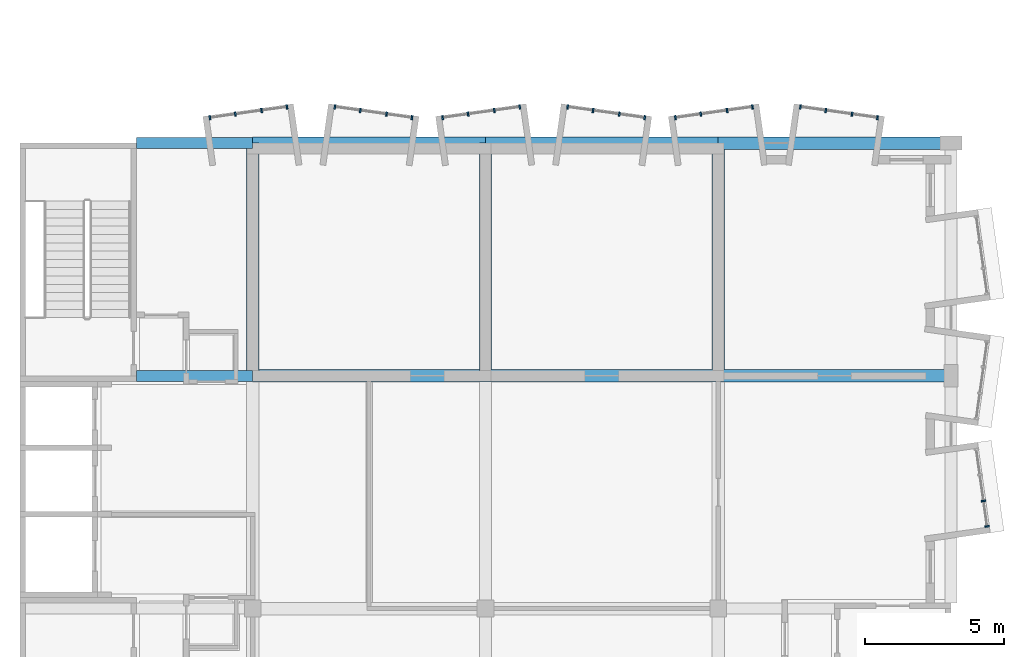
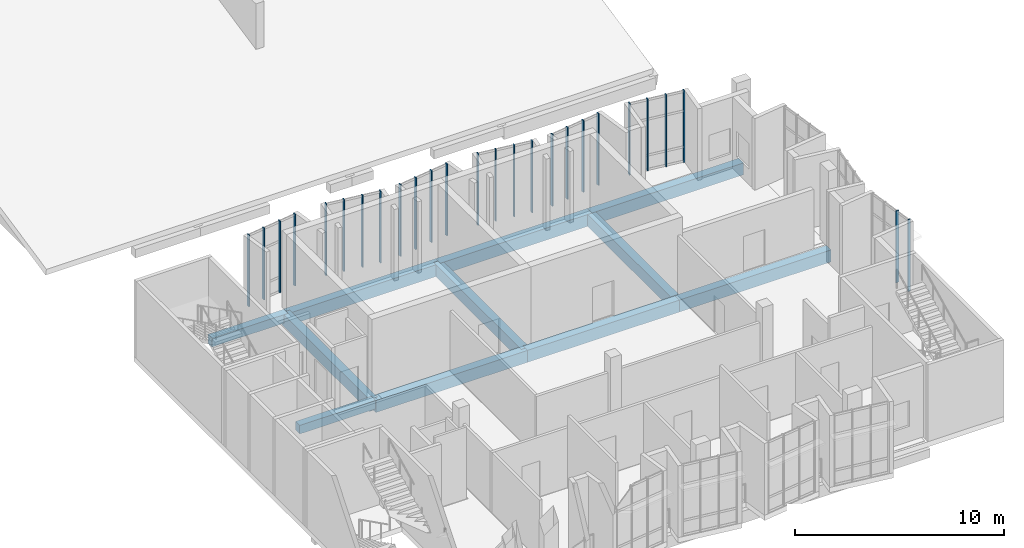
# One storey, part 3 of 19: 26 members, 11 beams, 7 elements without a shape of their own.
"""IFC4 building model written with IfcOpenShell, lengths in metres."""

from ifc_helpers import new_model, si_unit, direction, frame, origin, origin_2d, place, context, subcontext, project, spatial, rectangle, extrude, material, layer, layer_set, material_profile, profile_set, type_object, element, aggregate, save


model = new_model("IFC4")

# Units and contexts
model_context = context("Model", 3, precision=1e-05, world=origin(), true_north=direction((0.0, 1.0)))
body_context = subcontext(model_context, "Body", "Model", "MODEL_VIEW")
ifc_project = project(units=[si_unit("LENGTHUNIT", "METRE"), si_unit("AREAUNIT", "SQUARE_METRE"), si_unit("VOLUMEUNIT", "CUBIC_METRE"), si_unit("PLANEANGLEUNIT", "RADIAN"), si_unit("MASSUNIT", "GRAM", prefix="KILO")], contexts=[model_context])

# Site, building, storey
site_placement = place(None, origin())
site = spatial("IfcSite", under=ifc_project, at=site_placement, CompositionType="ELEMENT")
building_placement = place(site_placement, origin())
building = spatial("IfcBuilding", under=site, at=building_placement, Name="Kiln Court Media Centre", CompositionType="ELEMENT")
storey_placement = place(building_placement, frame((0.0, 0.0, 29.10009765625)))
storey = spatial("IfcBuildingStorey", under=building, at=storey_placement, Name="L06", CompositionType="ELEMENT", Elevation=29.10009765625)

# Curtain wall, members
ifc_material_1 = material(Name="Aluminium 6063-T6", Category="aluminium")
ifc_layer = layer(ifc_material_1, 0.1201171875)
ifc_layer_set = layer_set([ifc_layer], Name="Aluminium unitised bay curtain wall")
curtain_wall_type = type_object("IfcCurtainWallType", Name="Aluminium unitised bay curtain wall", PredefinedType="USERDEFINED", material=ifc_layer_set)
curtain_wall_1_placement = place(storey_placement, origin())
curtain_wall_1 = element("IfcCurtainWall", 1, at=curtain_wall_1_placement, inside=storey, type_object=curtain_wall_type, Name="BAY V6A-E-L06-09 front", ObjectType="UNITISED CURTAIN WALL", PredefinedType="USERDEFINED")
ifc_material_2 = material(Name="Aluminium 6063-T6", Category="aluminium")
ifc_material_profile_1 = material_profile(ifc_material_2, rectangle(XDim=0.06005859375, YDim=0.159912109375, at=origin_2d()), Name="Aluminium mullion 60x160")
ifc_profile_set_1 = profile_set([ifc_material_profile_1], Name="Aluminium 6063-T6")
member_type = type_object("IfcMemberType", Name="Aluminium mullion 60x160", PredefinedType="MULLION", material=ifc_profile_set_1)
member_1_placement = place(storey_placement, frame((34.904541015625, 11.364501953125, 0.0), z_axis=(0.0, 0.0, 1.0), x_axis=(-0.139162472554, 0.990269562409, 0.0)))
member_1 = element("IfcMember", 2, at=member_1_placement, type_object=member_type, Name="CW6-01 mullion 1", PredefinedType="MULLION", context=body_context, shape_type="SweptSolid", body=[
    extrude(rectangle(XDim=0.06005859375, YDim=0.159912109375, at=origin_2d()), origin(), (0.0, 0.0, 1.0), 4.199951171875),
])
member_2_placement = place(storey_placement, frame((34.775634765625, 12.2822265625, 0.0), z_axis=(0.0, 0.0, 1.0), x_axis=(-0.139162472554, 0.990269562409, 0.0)))
member_2 = element("IfcMember", 3, at=member_2_placement, type_object=member_type, Name="CW6-01 mullion 2", PredefinedType="MULLION", context=body_context, shape_type="SweptSolid", body=[
    extrude(rectangle(XDim=0.06005859375, YDim=0.159912109375, at=origin_2d()), origin(), (0.0, 0.0, 1.0), 4.199951171875),
])
aggregate(curtain_wall_1, [member_1, member_2])

curtain_wall_2_placement = place(storey_placement, origin())
curtain_wall_2 = element("IfcCurtainWall", 4, at=curtain_wall_2_placement, inside=storey, type_object=curtain_wall_type, Name="BAY V6A-N-L06-38 front", ObjectType="UNITISED CURTAIN WALL", PredefinedType="USERDEFINED")
member_3_placement = place(storey_placement, frame((6.852783203125, 26.113525390625, 0.0), z_axis=(0.0, 0.0, 1.0), x_axis=(0.990269562409, 0.139162472554, 0.0)))
member_3 = element("IfcMember", 5, at=member_3_placement, type_object=member_type, Name="CW6-04 mullion 1", PredefinedType="MULLION", context=body_context, shape_type="SweptSolid", body=[
    extrude(rectangle(XDim=0.06005859375, YDim=0.159912109375, at=origin_2d()), origin(), (0.0, 0.0, 1.0), 4.199951171875),
])
member_4_placement = place(storey_placement, frame((7.7705078125, 26.242431640625, 0.0), z_axis=(0.0, 0.0, 1.0), x_axis=(0.990269562409, 0.139162472554, 0.0)))
member_4 = element("IfcMember", 6, at=member_4_placement, type_object=member_type, Name="CW6-04 mullion 2", PredefinedType="MULLION", context=body_context, shape_type="SweptSolid", body=[
    extrude(rectangle(XDim=0.06005859375, YDim=0.159912109375, at=origin_2d()), origin(), (0.0, 0.0, 1.0), 4.199951171875),
])
member_5_placement = place(storey_placement, frame((8.7177734375, 26.375732421875, 0.0), z_axis=(0.0, 0.0, 1.0), x_axis=(0.990269562409, 0.139162472554, 0.0)))
member_5 = element("IfcMember", 7, at=member_5_placement, type_object=member_type, Name="CW6-04 mullion 3", PredefinedType="MULLION", context=body_context, shape_type="SweptSolid", body=[
    extrude(rectangle(XDim=0.06005859375, YDim=0.159912109375, at=origin_2d()), origin(), (0.0, 0.0, 1.0), 4.199951171875),
])
member_6_placement = place(storey_placement, frame((9.635498046875, 26.504638671875, 0.0), z_axis=(0.0, 0.0, 1.0), x_axis=(0.990269562409, 0.139162472554, 0.0)))
member_6 = element("IfcMember", 8, at=member_6_placement, type_object=member_type, Name="CW6-04 mullion 4", PredefinedType="MULLION", context=body_context, shape_type="SweptSolid", body=[
    extrude(rectangle(XDim=0.06005859375, YDim=0.159912109375, at=origin_2d()), origin(), (0.0, 0.0, 1.0), 4.199951171875),
])
aggregate(curtain_wall_2, [member_3, member_4, member_5, member_6])

curtain_wall_3_placement = place(storey_placement, origin())
curtain_wall_3 = element("IfcCurtainWall", 9, at=curtain_wall_3_placement, inside=storey, type_object=curtain_wall_type, Name="BAY V6A-N-L06-39 front", ObjectType="UNITISED CURTAIN WALL", PredefinedType="USERDEFINED")
member_7_placement = place(storey_placement, frame((11.364501953125, 26.504638671875, 0.0), z_axis=(0.0, 0.0, 1.0), x_axis=(0.990269562409, -0.139162472554, 0.0)))
member_7 = element("IfcMember", 10, at=member_7_placement, type_object=member_type, Name="CW6-05 mullion 1", PredefinedType="MULLION", context=body_context, shape_type="SweptSolid", body=[
    extrude(rectangle(XDim=0.06005859375, YDim=0.159912109375, at=origin_2d()), origin(), (0.0, 0.0, 1.0), 4.199951171875),
])
member_8_placement = place(storey_placement, frame((12.2822265625, 26.375732421875, 0.0), z_axis=(0.0, 0.0, 1.0), x_axis=(0.990269562409, -0.139162472554, 0.0)))
member_8 = element("IfcMember", 11, at=member_8_placement, type_object=member_type, Name="CW6-05 mullion 2", PredefinedType="MULLION", context=body_context, shape_type="SweptSolid", body=[
    extrude(rectangle(XDim=0.06005859375, YDim=0.159912109375, at=origin_2d()), origin(), (0.0, 0.0, 1.0), 4.199951171875),
])
member_9_placement = place(storey_placement, frame((13.2294921875, 26.242431640625, 0.0), z_axis=(0.0, 0.0, 1.0), x_axis=(0.990269562409, -0.139162472554, 0.0)))
member_9 = element("IfcMember", 12, at=member_9_placement, type_object=member_type, Name="CW6-05 mullion 3", PredefinedType="MULLION", context=body_context, shape_type="SweptSolid", body=[
    extrude(rectangle(XDim=0.06005859375, YDim=0.159912109375, at=origin_2d()), origin(), (0.0, 0.0, 1.0), 4.199951171875),
])
member_10_placement = place(storey_placement, frame((14.147216796875, 26.113525390625, 0.0), z_axis=(0.0, 0.0, 1.0), x_axis=(0.990269562409, -0.139162472554, 0.0)))
member_10 = element("IfcMember", 13, at=member_10_placement, type_object=member_type, Name="CW6-05 mullion 4", PredefinedType="MULLION", context=body_context, shape_type="SweptSolid", body=[
    extrude(rectangle(XDim=0.06005859375, YDim=0.159912109375, at=origin_2d()), origin(), (0.0, 0.0, 1.0), 4.199951171875),
])
aggregate(curtain_wall_3, [member_7, member_8, member_9, member_10])

curtain_wall_4_placement = place(storey_placement, origin())
curtain_wall_4 = element("IfcCurtainWall", 14, at=curtain_wall_4_placement, inside=storey, type_object=curtain_wall_type, Name="BAY V6A-N-L06-40 front", ObjectType="UNITISED CURTAIN WALL", PredefinedType="USERDEFINED")
member_11_placement = place(storey_placement, frame((15.2529296875, 26.113525390625, 0.0), z_axis=(0.0, 0.0, 1.0), x_axis=(0.990269562409, 0.139162472554, 0.0)))
member_11 = element("IfcMember", 15, at=member_11_placement, type_object=member_type, Name="CW6-06 mullion 1", PredefinedType="MULLION", context=body_context, shape_type="SweptSolid", body=[
    extrude(rectangle(XDim=0.06005859375, YDim=0.159912109375, at=origin_2d()), origin(), (0.0, 0.0, 1.0), 4.199951171875),
])
member_12_placement = place(storey_placement, frame((16.17041015625, 26.242431640625, 0.0), z_axis=(0.0, 0.0, 1.0), x_axis=(0.990269562409, 0.139162472554, 0.0)))
member_12 = element("IfcMember", 16, at=member_12_placement, type_object=member_type, Name="CW6-06 mullion 2", PredefinedType="MULLION", context=body_context, shape_type="SweptSolid", body=[
    extrude(rectangle(XDim=0.06005859375, YDim=0.159912109375, at=origin_2d()), origin(), (0.0, 0.0, 1.0), 4.199951171875),
])
member_13_placement = place(storey_placement, frame((17.117919921875, 26.375732421875, 0.0), z_axis=(0.0, 0.0, 1.0), x_axis=(0.990269562409, 0.139162472554, 0.0)))
member_13 = element("IfcMember", 17, at=member_13_placement, type_object=member_type, Name="CW6-06 mullion 3", PredefinedType="MULLION", context=body_context, shape_type="SweptSolid", body=[
    extrude(rectangle(XDim=0.06005859375, YDim=0.159912109375, at=origin_2d()), origin(), (0.0, 0.0, 1.0), 4.199951171875),
])
member_14_placement = place(storey_placement, frame((18.035400390625, 26.504638671875, 0.0), z_axis=(0.0, 0.0, 1.0), x_axis=(0.990269562409, 0.139162472554, 0.0)))
member_14 = element("IfcMember", 18, at=member_14_placement, type_object=member_type, Name="CW6-06 mullion 4", PredefinedType="MULLION", context=body_context, shape_type="SweptSolid", body=[
    extrude(rectangle(XDim=0.06005859375, YDim=0.159912109375, at=origin_2d()), origin(), (0.0, 0.0, 1.0), 4.199951171875),
])
aggregate(curtain_wall_4, [member_11, member_12, member_13, member_14])

curtain_wall_5_placement = place(storey_placement, origin())
curtain_wall_5 = element("IfcCurtainWall", 19, at=curtain_wall_5_placement, inside=storey, type_object=curtain_wall_type, Name="BAY V6A-N-L06-41 front", ObjectType="UNITISED CURTAIN WALL", PredefinedType="USERDEFINED")
member_15_placement = place(storey_placement, frame((19.764404296875, 26.504638671875, 0.0), z_axis=(0.0, 0.0, 1.0), x_axis=(0.990269562409, -0.139162472554, 0.0)))
member_15 = element("IfcMember", 20, at=member_15_placement, type_object=member_type, Name="CW6-07 mullion 1", PredefinedType="MULLION", context=body_context, shape_type="SweptSolid", body=[
    extrude(rectangle(XDim=0.06005859375, YDim=0.159912109375, at=origin_2d()), origin(), (0.0, 0.0, 1.0), 4.199951171875),
])
member_16_placement = place(storey_placement, frame((20.68212890625, 26.375732421875, 0.0), z_axis=(0.0, 0.0, 1.0), x_axis=(0.990269562409, -0.139162472554, 0.0)))
member_16 = element("IfcMember", 21, at=member_16_placement, type_object=member_type, Name="CW6-07 mullion 2", PredefinedType="MULLION", context=body_context, shape_type="SweptSolid", body=[
    extrude(rectangle(XDim=0.06005859375, YDim=0.159912109375, at=origin_2d()), origin(), (0.0, 0.0, 1.0), 4.199951171875),
])
member_17_placement = place(storey_placement, frame((21.629638671875, 26.242431640625, 0.0), z_axis=(0.0, 0.0, 1.0), x_axis=(0.990269562409, -0.139162472554, 0.0)))
member_17 = element("IfcMember", 22, at=member_17_placement, type_object=member_type, Name="CW6-07 mullion 3", PredefinedType="MULLION", context=body_context, shape_type="SweptSolid", body=[
    extrude(rectangle(XDim=0.06005859375, YDim=0.159912109375, at=origin_2d()), origin(), (0.0, 0.0, 1.0), 4.199951171875),
])
member_18_placement = place(storey_placement, frame((22.547119140625, 26.113525390625, 0.0), z_axis=(0.0, 0.0, 1.0), x_axis=(0.990269562409, -0.139162472554, 0.0)))
member_18 = element("IfcMember", 23, at=member_18_placement, type_object=member_type, Name="CW6-07 mullion 4", PredefinedType="MULLION", context=body_context, shape_type="SweptSolid", body=[
    extrude(rectangle(XDim=0.06005859375, YDim=0.159912109375, at=origin_2d()), origin(), (0.0, 0.0, 1.0), 4.199951171875),
])
aggregate(curtain_wall_5, [member_15, member_16, member_17, member_18])

curtain_wall_6_placement = place(storey_placement, origin())
curtain_wall_6 = element("IfcCurtainWall", 24, at=curtain_wall_6_placement, inside=storey, type_object=curtain_wall_type, Name="BAY V6A-N-L06-42 front", ObjectType="UNITISED CURTAIN WALL", PredefinedType="USERDEFINED")
member_19_placement = place(storey_placement, frame((23.65283203125, 26.113525390625, 0.0), z_axis=(0.0, 0.0, 1.0), x_axis=(0.990269562409, 0.139162472554, 0.0)))
member_19 = element("IfcMember", 25, at=member_19_placement, type_object=member_type, Name="CW6-08 mullion 1", PredefinedType="MULLION", context=body_context, shape_type="SweptSolid", body=[
    extrude(rectangle(XDim=0.06005859375, YDim=0.159912109375, at=origin_2d()), origin(), (0.0, 0.0, 1.0), 4.199951171875),
])
member_20_placement = place(storey_placement, frame((24.570556640625, 26.242431640625, 0.0), z_axis=(0.0, 0.0, 1.0), x_axis=(0.990269562409, 0.139162472554, 0.0)))
member_20 = element("IfcMember", 26, at=member_20_placement, type_object=member_type, Name="CW6-08 mullion 2", PredefinedType="MULLION", context=body_context, shape_type="SweptSolid", body=[
    extrude(rectangle(XDim=0.06005859375, YDim=0.159912109375, at=origin_2d()), origin(), (0.0, 0.0, 1.0), 4.199951171875),
])
member_21_placement = place(storey_placement, frame((25.517822265625, 26.375732421875, 0.0), z_axis=(0.0, 0.0, 1.0), x_axis=(0.990269562409, 0.139162472554, 0.0)))
member_21 = element("IfcMember", 27, at=member_21_placement, type_object=member_type, Name="CW6-08 mullion 3", PredefinedType="MULLION", context=body_context, shape_type="SweptSolid", body=[
    extrude(rectangle(XDim=0.06005859375, YDim=0.159912109375, at=origin_2d()), origin(), (0.0, 0.0, 1.0), 4.199951171875),
])
member_22_placement = place(storey_placement, frame((26.435546875, 26.504638671875, 0.0), z_axis=(0.0, 0.0, 1.0), x_axis=(0.990269562409, 0.139162472554, 0.0)))
member_22 = element("IfcMember", 28, at=member_22_placement, type_object=member_type, Name="CW6-08 mullion 4", PredefinedType="MULLION", context=body_context, shape_type="SweptSolid", body=[
    extrude(rectangle(XDim=0.06005859375, YDim=0.159912109375, at=origin_2d()), origin(), (0.0, 0.0, 1.0), 4.199951171875),
])
aggregate(curtain_wall_6, [member_19, member_20, member_21, member_22])

curtain_wall_7_placement = place(storey_placement, origin())
curtain_wall_7 = element("IfcCurtainWall", 29, at=curtain_wall_7_placement, inside=storey, type_object=curtain_wall_type, Name="BAY V6A-N-L06-43 front", ObjectType="UNITISED CURTAIN WALL", PredefinedType="USERDEFINED")
member_23_placement = place(storey_placement, frame((28.16455078125, 26.504638671875, 0.0), z_axis=(0.0, 0.0, 1.0), x_axis=(0.990269562409, -0.139162472554, 0.0)))
member_23 = element("IfcMember", 30, at=member_23_placement, type_object=member_type, Name="CW6-09 mullion 1", PredefinedType="MULLION", context=body_context, shape_type="SweptSolid", body=[
    extrude(rectangle(XDim=0.06005859375, YDim=0.159912109375, at=origin_2d()), origin(), (0.0, 0.0, 1.0), 4.199951171875),
])
member_24_placement = place(storey_placement, frame((29.082275390625, 26.375732421875, 0.0), z_axis=(0.0, 0.0, 1.0), x_axis=(0.990269562409, -0.139162472554, 0.0)))
member_24 = element("IfcMember", 31, at=member_24_placement, type_object=member_type, Name="CW6-09 mullion 2", PredefinedType="MULLION", context=body_context, shape_type="SweptSolid", body=[
    extrude(rectangle(XDim=0.06005859375, YDim=0.159912109375, at=origin_2d()), origin(), (0.0, 0.0, 1.0), 4.199951171875),
])
member_25_placement = place(storey_placement, frame((30.029541015625, 26.242431640625, 0.0), z_axis=(0.0, 0.0, 1.0), x_axis=(0.990269562409, -0.139162472554, 0.0)))
member_25 = element("IfcMember", 32, at=member_25_placement, type_object=member_type, Name="CW6-09 mullion 3", PredefinedType="MULLION", context=body_context, shape_type="SweptSolid", body=[
    extrude(rectangle(XDim=0.06005859375, YDim=0.159912109375, at=origin_2d()), origin(), (0.0, 0.0, 1.0), 4.199951171875),
])
member_26_placement = place(storey_placement, frame((30.947265625, 26.113525390625, 0.0), z_axis=(0.0, 0.0, 1.0), x_axis=(0.990269562409, -0.139162472554, 0.0)))
member_26 = element("IfcMember", 33, at=member_26_placement, type_object=member_type, Name="CW6-09 mullion 4", PredefinedType="MULLION", context=body_context, shape_type="SweptSolid", body=[
    extrude(rectangle(XDim=0.06005859375, YDim=0.159912109375, at=origin_2d()), origin(), (0.0, 0.0, 1.0), 4.199951171875),
])
aggregate(curtain_wall_7, [member_23, member_24, member_25, member_26])

# Beams
ifc_material_3 = material(Name="Concrete C30/37", Category="concrete")
ifc_material_profile_2 = material_profile(ifc_material_3, rectangle(XDim=0.39990234375, YDim=0.5, at=origin_2d()), Name="RC 400x500")
ifc_profile_set_2 = profile_set([ifc_material_profile_2], Name="Concrete C30/37")
beam_type_1 = type_object("IfcBeamType", Name="Concrete C30/37 beam 400x500", PredefinedType="BEAM", material=ifc_profile_set_2)
for number, where, z_axis, x_axis, name in (
    (34, (4.199951171875, 16.800048828125, -0.550048828125), (1.0, 0.0, 0.0), (0.0, 1.0, 0.0), "L06-B-1020"),
    (35, (4.199951171875, 25.199951171875, -0.550048828125), (1.0, 0.0, 0.0), (0.0, 1.0, 0.0), "L06-B-1024"),
):
    element("IfcBeam", number, at=place(storey_placement, frame(where, z_axis=z_axis, x_axis=x_axis)), inside=storey, type_object=beam_type_1, Name=name, PredefinedType="BEAM", context=body_context, shape_type="SweptSolid", body=[
        extrude(rectangle(XDim=0.39990234375, YDim=0.5, at=origin_2d()), origin(), (0.0, 0.0, 1.0), 4.199951171875),
    ])
ifc_material_4 = material(Name="Concrete C30/37", Category="concrete")
ifc_material_profile_3 = material_profile(ifc_material_4, rectangle(XDim=0.449951171875, YDim=0.699951171875, at=origin_2d()), Name="RC 450x700")
ifc_profile_set_3 = profile_set([ifc_material_profile_3], Name="Concrete C30/37")
beam_type_2 = type_object("IfcBeamType", Name="Concrete C30/37 beam 450x700", PredefinedType="BEAM", material=ifc_profile_set_3)
for number, where, z_axis, x_axis, name in (
    (36, (8.39990234375, 16.800048828125, -0.650146484375), (0.0, 1.0, 0.0), (-1.0, 0.0, 0.0), "L06-B-1002"),
    (37, (16.800048828125, 16.800048828125, -0.650146484375), (0.0, 1.0, 0.0), (-1.0, 0.0, 0.0), "L06-B-1005"),
    (38, (25.199951171875, 16.800048828125, -0.650146484375), (0.0, 1.0, 0.0), (-1.0, 0.0, 0.0), "L06-B-1008"),
):
    element("IfcBeam", number, at=place(storey_placement, frame(where, z_axis=z_axis, x_axis=x_axis)), inside=storey, type_object=beam_type_2, Name=name, PredefinedType="BEAM", context=body_context, shape_type="SweptSolid", body=[
        extrude(rectangle(XDim=0.449951171875, YDim=0.699951171875, at=origin_2d()), origin(), (0.0, 0.0, 1.0), 8.39990234375),
    ])
beam_1_placement = place(storey_placement, frame((8.39990234375, 16.800048828125, -0.650146484375), z_axis=(1.0, 0.0, 0.0), x_axis=(0.0, 1.0, 0.0)))
element("IfcBeam", 39, at=beam_1_placement, inside=storey, type_object=beam_type_2, Name="L06-B-1021", PredefinedType="BEAM", context=body_context, shape_type="SweptSolid", body=[
    extrude(rectangle(XDim=0.449951171875, YDim=0.699951171875, at=origin_2d()), origin(), (0.0, 0.0, 1.0), 8.400146484375),
])
beam_2_placement = place(storey_placement, frame((16.800048828125, 16.800048828125, -0.650146484375), z_axis=(1.0, 0.0, 0.0), x_axis=(0.0, 1.0, 0.0)))
element("IfcBeam", 40, at=beam_2_placement, inside=storey, type_object=beam_type_2, Name="L06-B-1022", PredefinedType="BEAM", context=body_context, shape_type="SweptSolid", body=[
    extrude(rectangle(XDim=0.449951171875, YDim=0.699951171875, at=origin_2d()), origin(), (0.0, 0.0, 1.0), 8.39990234375),
])
for number, where, z_axis, x_axis, name in (
    (41, (25.199951171875, 16.800048828125, -0.650146484375), (1.0, 0.0, 0.0), (0.0, 1.0, 0.0), "L06-B-1023"),
    (42, (8.39990234375, 25.199951171875, -0.650146484375), (1.0, 0.0, 0.0), (0.0, 1.0, 0.0), "L06-B-1025"),
):
    element("IfcBeam", number, at=place(storey_placement, frame(where, z_axis=z_axis, x_axis=x_axis)), inside=storey, type_object=beam_type_2, Name=name, PredefinedType="BEAM", context=body_context, shape_type="SweptSolid", body=[
        extrude(rectangle(XDim=0.449951171875, YDim=0.699951171875, at=origin_2d()), origin(), (0.0, 0.0, 1.0), 8.400146484375),
    ])
beam_3_placement = place(storey_placement, frame((16.800048828125, 25.199951171875, -0.650146484375), z_axis=(1.0, 0.0, 0.0), x_axis=(0.0, 1.0, 0.0)))
element("IfcBeam", 43, at=beam_3_placement, inside=storey, type_object=beam_type_2, Name="L06-B-1026", PredefinedType="BEAM", context=body_context, shape_type="SweptSolid", body=[
    extrude(rectangle(XDim=0.449951171875, YDim=0.699951171875, at=origin_2d()), origin(), (0.0, 0.0, 1.0), 8.39990234375),
])
beam_4_placement = place(storey_placement, frame((25.199951171875, 25.199951171875, -0.650146484375), z_axis=(1.0, 0.0, 0.0), x_axis=(0.0, 1.0, 0.0)))
element("IfcBeam", 44, at=beam_4_placement, inside=storey, type_object=beam_type_2, Name="L06-B-1027", PredefinedType="BEAM", context=body_context, shape_type="SweptSolid", body=[
    extrude(rectangle(XDim=0.449951171875, YDim=0.699951171875, at=origin_2d()), origin(), (0.0, 0.0, 1.0), 8.400146484375),
])

save(model, "model.ifc")
